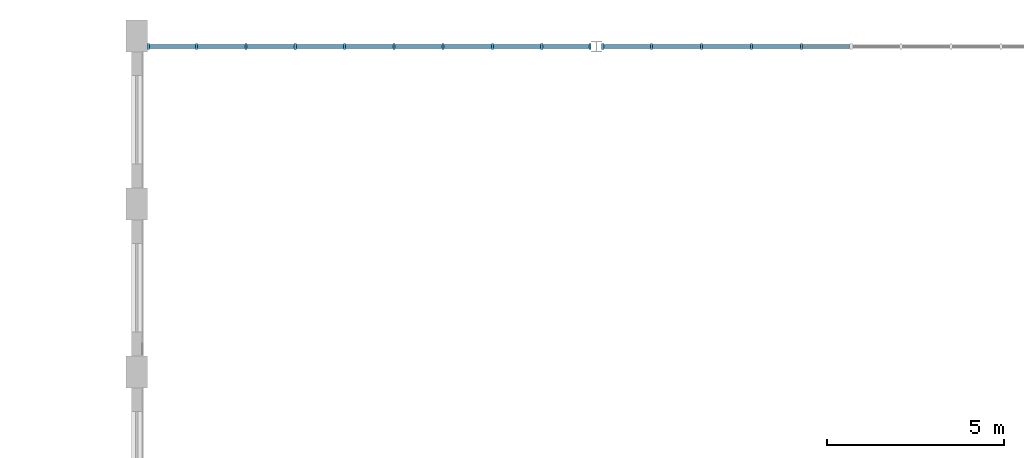
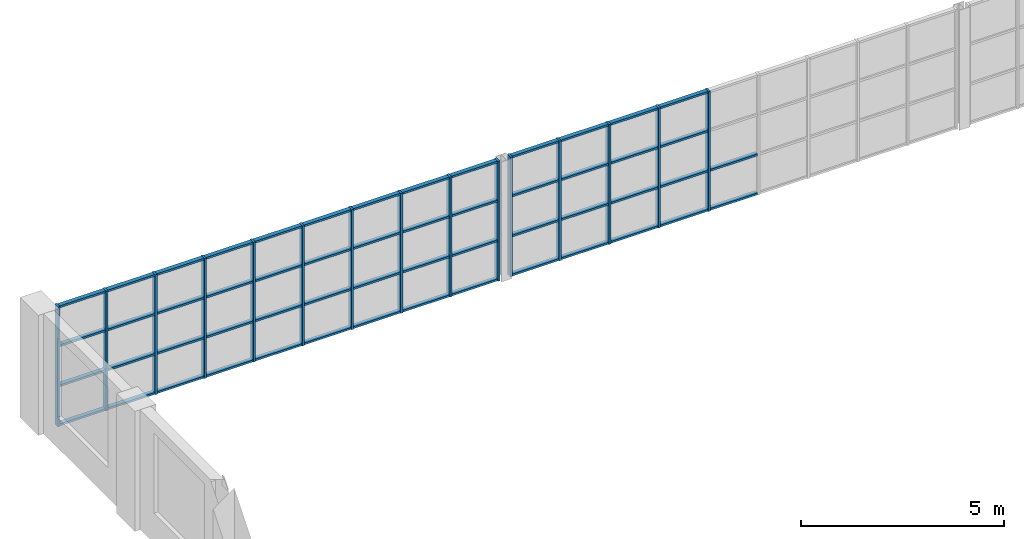
# One storey, part 9 of 70: 69 members, 2 elements without a shape of their own.
"""IFC4 building model written with IfcOpenShell, lengths in metres."""

from ifc_helpers import new_model, si_unit, direction, frame, origin, origin_2d, place, context, subcontext, project, spatial, rectangle, extrude, material, material_profile, profile_set, type_object, element, aggregate, save


model = new_model("IFC4")

# Units and contexts
model_context = context("Model", 3, precision=1e-05, world=origin(), true_north=direction((0.0, 1.0)))
body_context = subcontext(model_context, "Body", "Model", "MODEL_VIEW")
ifc_project = project(units=[si_unit("LENGTHUNIT", "METRE"), si_unit("AREAUNIT", "SQUARE_METRE"), si_unit("VOLUMEUNIT", "CUBIC_METRE"), si_unit("PLANEANGLEUNIT", "RADIAN"), si_unit("MASSUNIT", "GRAM", prefix="KILO")], contexts=[model_context])

# Site, building, storey
site_placement = place(None, origin())
site = spatial("IfcSite", under=ifc_project, at=site_placement, CompositionType="ELEMENT")
building_placement = place(site_placement, origin())
building = spatial("IfcBuilding", under=site, at=building_placement, Name="Elbe Cascade School", CompositionType="ELEMENT")
storey_placement = place(building_placement, frame((0.0, 0.0, 8.10009765625)))
storey = spatial("IfcBuildingStorey", under=building, at=storey_placement, Name="L02", CompositionType="ELEMENT", Elevation=8.10009765625)

# Curtain wall, members
ifc_material_1 = material(Name="Glass - double glazed low-E", Category="glass")
curtain_wall_type = type_object("IfcCurtainWallType", Name="Hall gable curtain wall", PredefinedType="NOTDEFINED", material=ifc_material_1)
curtain_wall_1_placement = place(storey_placement, origin())
curtain_wall_1 = element("IfcCurtainWall", 1, at=curtain_wall_1_placement, inside=storey, type_object=curtain_wall_type, Name="Gable curtain wall N1", PredefinedType="NOTDEFINED")
ifc_material_2 = material(Name="Aluminium - bronze anodised", Category="aluminium")
ifc_material_profile_1 = material_profile(ifc_material_2, rectangle(XDim=0.159912109375, YDim=0.06005859375, at=origin_2d()), Name="Alu 60x160")
ifc_profile_set_1 = profile_set([ifc_material_profile_1], Name="Aluminium - bronze anodised")
member_type_1 = type_object("IfcMemberType", Name="Hall gable mullion 60x160", PredefinedType="MULLION", material=ifc_profile_set_1)
member_1_placement = place(storey_placement, frame((8.330078125, 69.199951171875, 0.0), z_axis=(0.0, 0.0, 1.0), x_axis=(0.0, 1.0, 0.0)))
member_1 = element("IfcMember", 2, at=member_1_placement, type_object=member_type_1, Name="CW6 mullion 1", PredefinedType="MULLION", context=body_context, shape_type="SweptSolid", body=[
    extrude(rectangle(XDim=0.159912109375, YDim=0.06005859375, at=origin_2d()), origin(), (0.0, 0.0, 1.0), 3.599853515625),
])
member_2_placement = place(storey_placement, frame((9.6943359375, 69.199951171875, 0.0), z_axis=(0.0, 0.0, 1.0), x_axis=(0.0, 1.0, 0.0)))
member_2 = element("IfcMember", 3, at=member_2_placement, type_object=member_type_1, Name="CW6 mullion 2", PredefinedType="MULLION", context=body_context, shape_type="SweptSolid", body=[
    extrude(rectangle(XDim=0.159912109375, YDim=0.06005859375, at=origin_2d()), origin(), (0.0, 0.0, 1.0), 3.599853515625),
])
member_3_placement = place(storey_placement, frame((11.0888671875, 69.199951171875, 0.0), z_axis=(0.0, 0.0, 1.0), x_axis=(0.0, 1.0, 0.0)))
member_3 = element("IfcMember", 4, at=member_3_placement, type_object=member_type_1, Name="CW6 mullion 3", PredefinedType="MULLION", context=body_context, shape_type="SweptSolid", body=[
    extrude(rectangle(XDim=0.159912109375, YDim=0.06005859375, at=origin_2d()), origin(), (0.0, 0.0, 1.0), 3.599853515625),
])
member_4_placement = place(storey_placement, frame((12.4833984375, 69.199951171875, 0.0), z_axis=(0.0, 0.0, 1.0), x_axis=(0.0, 1.0, 0.0)))
member_4 = element("IfcMember", 5, at=member_4_placement, type_object=member_type_1, Name="CW6 mullion 4", PredefinedType="MULLION", context=body_context, shape_type="SweptSolid", body=[
    extrude(rectangle(XDim=0.159912109375, YDim=0.06005859375, at=origin_2d()), origin(), (0.0, 0.0, 1.0), 3.599853515625),
])
member_5_placement = place(storey_placement, frame((13.877685546875, 69.199951171875, 0.0), z_axis=(0.0, 0.0, 1.0), x_axis=(0.0, 1.0, 0.0)))
member_5 = element("IfcMember", 6, at=member_5_placement, type_object=member_type_1, Name="CW6 mullion 5", PredefinedType="MULLION", context=body_context, shape_type="SweptSolid", body=[
    extrude(rectangle(XDim=0.159912109375, YDim=0.06005859375, at=origin_2d()), origin(), (0.0, 0.0, 1.0), 3.599853515625),
])
member_6_placement = place(storey_placement, frame((15.272216796875, 69.199951171875, 0.0), z_axis=(0.0, 0.0, 1.0), x_axis=(0.0, 1.0, 0.0)))
member_6 = element("IfcMember", 7, at=member_6_placement, type_object=member_type_1, Name="CW6 mullion 6", PredefinedType="MULLION", context=body_context, shape_type="SweptSolid", body=[
    extrude(rectangle(XDim=0.159912109375, YDim=0.06005859375, at=origin_2d()), origin(), (0.0, 0.0, 1.0), 3.599853515625),
])
member_7_placement = place(storey_placement, frame((16.666748046875, 69.199951171875, 0.0), z_axis=(0.0, 0.0, 1.0), x_axis=(0.0, 1.0, 0.0)))
member_7 = element("IfcMember", 8, at=member_7_placement, type_object=member_type_1, Name="CW6 mullion 7", PredefinedType="MULLION", context=body_context, shape_type="SweptSolid", body=[
    extrude(rectangle(XDim=0.159912109375, YDim=0.06005859375, at=origin_2d()), origin(), (0.0, 0.0, 1.0), 3.599853515625),
])
member_8_placement = place(storey_placement, frame((18.06103515625, 69.199951171875, 0.0), z_axis=(0.0, 0.0, 1.0), x_axis=(0.0, 1.0, 0.0)))
member_8 = element("IfcMember", 9, at=member_8_placement, type_object=member_type_1, Name="CW6 mullion 8", PredefinedType="MULLION", context=body_context, shape_type="SweptSolid", body=[
    extrude(rectangle(XDim=0.159912109375, YDim=0.06005859375, at=origin_2d()), origin(), (0.0, 0.0, 1.0), 3.599853515625),
])
member_9_placement = place(storey_placement, frame((19.45556640625, 69.199951171875, 0.0), z_axis=(0.0, 0.0, 1.0), x_axis=(0.0, 1.0, 0.0)))
member_9 = element("IfcMember", 10, at=member_9_placement, type_object=member_type_1, Name="CW6 mullion 9", PredefinedType="MULLION", context=body_context, shape_type="SweptSolid", body=[
    extrude(rectangle(XDim=0.159912109375, YDim=0.06005859375, at=origin_2d()), origin(), (0.0, 0.0, 1.0), 3.599853515625),
])
member_10_placement = place(storey_placement, frame((20.820068359375, 69.199951171875, 0.0), z_axis=(0.0, 0.0, 1.0), x_axis=(0.0, 1.0, 0.0)))
member_10 = element("IfcMember", 11, at=member_10_placement, type_object=member_type_1, Name="CW6 mullion 10", PredefinedType="MULLION", context=body_context, shape_type="SweptSolid", body=[
    extrude(rectangle(XDim=0.159912109375, YDim=0.06005859375, at=origin_2d()), origin(), (0.0, 0.0, 1.0), 3.599853515625),
])

curtain_wall_2_placement = place(storey_placement, origin())
curtain_wall_2 = element("IfcCurtainWall", 12, at=curtain_wall_2_placement, inside=storey, type_object=curtain_wall_type, Name="Gable curtain wall N2", PredefinedType="NOTDEFINED")
member_11_placement = place(storey_placement, frame((21.179931640625, 69.199951171875, 0.0), z_axis=(0.0, 0.0, 1.0), x_axis=(0.0, 1.0, 0.0)))
member_11 = element("IfcMember", 13, at=member_11_placement, type_object=member_type_1, Name="CW6 mullion 1", PredefinedType="MULLION", context=body_context, shape_type="SweptSolid", body=[
    extrude(rectangle(XDim=0.159912109375, YDim=0.06005859375, at=origin_2d()), origin(), (0.0, 0.0, 1.0), 3.599853515625),
])
member_12_placement = place(storey_placement, frame((22.56103515625, 69.199951171875, 0.0), z_axis=(0.0, 0.0, 1.0), x_axis=(0.0, 1.0, 0.0)))
member_12 = element("IfcMember", 14, at=member_12_placement, type_object=member_type_1, Name="CW6 mullion 2", PredefinedType="MULLION", context=body_context, shape_type="SweptSolid", body=[
    extrude(rectangle(XDim=0.159912109375, YDim=0.06005859375, at=origin_2d()), origin(), (0.0, 0.0, 1.0), 3.599853515625),
])
member_13_placement = place(storey_placement, frame((23.97216796875, 69.199951171875, 0.0), z_axis=(0.0, 0.0, 1.0), x_axis=(0.0, 1.0, 0.0)))
member_13 = element("IfcMember", 15, at=member_13_placement, type_object=member_type_1, Name="CW6 mullion 3", PredefinedType="MULLION", context=body_context, shape_type="SweptSolid", body=[
    extrude(rectangle(XDim=0.159912109375, YDim=0.06005859375, at=origin_2d()), origin(), (0.0, 0.0, 1.0), 3.599853515625),
])
member_14_placement = place(storey_placement, frame((25.38330078125, 69.199951171875, 0.0), z_axis=(0.0, 0.0, 1.0), x_axis=(0.0, 1.0, 0.0)))
member_14 = element("IfcMember", 16, at=member_14_placement, type_object=member_type_1, Name="CW6 mullion 4", PredefinedType="MULLION", context=body_context, shape_type="SweptSolid", body=[
    extrude(rectangle(XDim=0.159912109375, YDim=0.06005859375, at=origin_2d()), origin(), (0.0, 0.0, 1.0), 3.599853515625),
])
member_15_placement = place(storey_placement, frame((26.79443359375, 69.199951171875, 0.0), z_axis=(0.0, 0.0, 1.0), x_axis=(0.0, 1.0, 0.0)))
member_15 = element("IfcMember", 17, at=member_15_placement, type_object=member_type_1, Name="CW6 mullion 5", PredefinedType="MULLION", context=body_context, shape_type="SweptSolid", body=[
    extrude(rectangle(XDim=0.159912109375, YDim=0.06005859375, at=origin_2d()), origin(), (0.0, 0.0, 1.0), 3.599853515625),
])

# Member
ifc_material_3 = material(Name="Aluminium - bronze anodised", Category="aluminium")
ifc_material_profile_2 = material_profile(ifc_material_3, rectangle(XDim=0.1201171875, YDim=0.06005859375, at=origin_2d()), Name="Alu 60x120")
ifc_profile_set_2 = profile_set([ifc_material_profile_2], Name="Aluminium - bronze anodised")
member_type_2 = type_object("IfcMemberType", Name="Hall gable transom 60x120", PredefinedType="USERDEFINED", material=ifc_profile_set_2)
member_16_placement = place(storey_placement, frame((8.360107421875, 69.199951171875, 0.02978515625), z_axis=(1.0, 0.0, 0.0), x_axis=(0.0, 1.0, 0.0)))
member_16 = element("IfcMember", 18, at=member_16_placement, type_object=member_type_2, Name="CW6 transom 1.1", ObjectType="TRANSOM", PredefinedType="USERDEFINED", context=body_context, shape_type="SweptSolid", body=[
    extrude(rectangle(XDim=0.1201171875, YDim=0.06005859375, at=origin_2d()), origin(), (0.0, 0.0, 1.0), 1.304443359375),
])

member_17_placement = place(storey_placement, frame((8.360107421875, 69.199951171875, 1.199951171875), z_axis=(1.0, 0.0, 0.0), x_axis=(0.0, 1.0, 0.0)))
member_17 = element("IfcMember", 19, at=member_17_placement, type_object=member_type_2, Name="CW6 transom 1.2", ObjectType="TRANSOM", PredefinedType="USERDEFINED", context=body_context, shape_type="SweptSolid", body=[
    extrude(rectangle(XDim=0.1201171875, YDim=0.06005859375, at=origin_2d()), origin(), (0.0, 0.0, 1.0), 1.304443359375),
])

member_18_placement = place(storey_placement, frame((8.360107421875, 69.199951171875, 2.39990234375), z_axis=(1.0, 0.0, 0.0), x_axis=(0.0, 1.0, 0.0)))
member_18 = element("IfcMember", 20, at=member_18_placement, type_object=member_type_2, Name="CW6 transom 1.3", ObjectType="TRANSOM", PredefinedType="USERDEFINED", context=body_context, shape_type="SweptSolid", body=[
    extrude(rectangle(XDim=0.1201171875, YDim=0.06005859375, at=origin_2d()), origin(), (0.0, 0.0, 1.0), 1.304443359375),
])

member_19_placement = place(storey_placement, frame((8.360107421875, 69.199951171875, 3.56982421875), z_axis=(1.0, 0.0, 0.0), x_axis=(0.0, 1.0, 0.0)))
member_19 = element("IfcMember", 21, at=member_19_placement, type_object=member_type_2, Name="CW6 transom 1.4", ObjectType="TRANSOM", PredefinedType="USERDEFINED", context=body_context, shape_type="SweptSolid", body=[
    extrude(rectangle(XDim=0.1201171875, YDim=0.06005859375, at=origin_2d()), origin(), (0.0, 0.0, 1.0), 1.304443359375),
])

member_20_placement = place(storey_placement, frame((9.724365234375, 69.199951171875, 0.02978515625), z_axis=(1.0, 0.0, 0.0), x_axis=(0.0, 1.0, 0.0)))
member_20 = element("IfcMember", 22, at=member_20_placement, type_object=member_type_2, Name="CW6 transom 2.1", ObjectType="TRANSOM", PredefinedType="USERDEFINED", context=body_context, shape_type="SweptSolid", body=[
    extrude(rectangle(XDim=0.1201171875, YDim=0.06005859375, at=origin_2d()), origin(), (0.0, 0.0, 1.0), 1.33447265625),
])

member_21_placement = place(storey_placement, frame((9.724365234375, 69.199951171875, 1.199951171875), z_axis=(1.0, 0.0, 0.0), x_axis=(0.0, 1.0, 0.0)))
member_21 = element("IfcMember", 23, at=member_21_placement, type_object=member_type_2, Name="CW6 transom 2.2", ObjectType="TRANSOM", PredefinedType="USERDEFINED", context=body_context, shape_type="SweptSolid", body=[
    extrude(rectangle(XDim=0.1201171875, YDim=0.06005859375, at=origin_2d()), origin(), (0.0, 0.0, 1.0), 1.33447265625),
])

member_22_placement = place(storey_placement, frame((9.724365234375, 69.199951171875, 2.39990234375), z_axis=(1.0, 0.0, 0.0), x_axis=(0.0, 1.0, 0.0)))
member_22 = element("IfcMember", 24, at=member_22_placement, type_object=member_type_2, Name="CW6 transom 2.3", ObjectType="TRANSOM", PredefinedType="USERDEFINED", context=body_context, shape_type="SweptSolid", body=[
    extrude(rectangle(XDim=0.1201171875, YDim=0.06005859375, at=origin_2d()), origin(), (0.0, 0.0, 1.0), 1.33447265625),
])

member_23_placement = place(storey_placement, frame((9.724365234375, 69.199951171875, 3.56982421875), z_axis=(1.0, 0.0, 0.0), x_axis=(0.0, 1.0, 0.0)))
member_23 = element("IfcMember", 25, at=member_23_placement, type_object=member_type_2, Name="CW6 transom 2.4", ObjectType="TRANSOM", PredefinedType="USERDEFINED", context=body_context, shape_type="SweptSolid", body=[
    extrude(rectangle(XDim=0.1201171875, YDim=0.06005859375, at=origin_2d()), origin(), (0.0, 0.0, 1.0), 1.33447265625),
])

member_24_placement = place(storey_placement, frame((11.118896484375, 69.199951171875, 0.02978515625), z_axis=(1.0, 0.0, 0.0), x_axis=(0.0, 1.0, 0.0)))
member_24 = element("IfcMember", 26, at=member_24_placement, type_object=member_type_2, Name="CW6 transom 3.1", ObjectType="TRANSOM", PredefinedType="USERDEFINED", context=body_context, shape_type="SweptSolid", body=[
    extrude(rectangle(XDim=0.1201171875, YDim=0.06005859375, at=origin_2d()), origin(), (0.0, 0.0, 1.0), 1.33447265625),
])

member_25_placement = place(storey_placement, frame((11.118896484375, 69.199951171875, 1.199951171875), z_axis=(1.0, 0.0, 0.0), x_axis=(0.0, 1.0, 0.0)))
member_25 = element("IfcMember", 27, at=member_25_placement, type_object=member_type_2, Name="CW6 transom 3.2", ObjectType="TRANSOM", PredefinedType="USERDEFINED", context=body_context, shape_type="SweptSolid", body=[
    extrude(rectangle(XDim=0.1201171875, YDim=0.06005859375, at=origin_2d()), origin(), (0.0, 0.0, 1.0), 1.33447265625),
])

member_26_placement = place(storey_placement, frame((11.118896484375, 69.199951171875, 2.39990234375), z_axis=(1.0, 0.0, 0.0), x_axis=(0.0, 1.0, 0.0)))
member_26 = element("IfcMember", 28, at=member_26_placement, type_object=member_type_2, Name="CW6 transom 3.3", ObjectType="TRANSOM", PredefinedType="USERDEFINED", context=body_context, shape_type="SweptSolid", body=[
    extrude(rectangle(XDim=0.1201171875, YDim=0.06005859375, at=origin_2d()), origin(), (0.0, 0.0, 1.0), 1.33447265625),
])

member_27_placement = place(storey_placement, frame((11.118896484375, 69.199951171875, 3.56982421875), z_axis=(1.0, 0.0, 0.0), x_axis=(0.0, 1.0, 0.0)))
member_27 = element("IfcMember", 29, at=member_27_placement, type_object=member_type_2, Name="CW6 transom 3.4", ObjectType="TRANSOM", PredefinedType="USERDEFINED", context=body_context, shape_type="SweptSolid", body=[
    extrude(rectangle(XDim=0.1201171875, YDim=0.06005859375, at=origin_2d()), origin(), (0.0, 0.0, 1.0), 1.33447265625),
])

member_28_placement = place(storey_placement, frame((12.513427734375, 69.199951171875, 0.02978515625), z_axis=(1.0, 0.0, 0.0), x_axis=(0.0, 1.0, 0.0)))
member_28 = element("IfcMember", 30, at=member_28_placement, type_object=member_type_2, Name="CW6 transom 4.1", ObjectType="TRANSOM", PredefinedType="USERDEFINED", context=body_context, shape_type="SweptSolid", body=[
    extrude(rectangle(XDim=0.1201171875, YDim=0.06005859375, at=origin_2d()), origin(), (0.0, 0.0, 1.0), 1.334228515625),
])

member_29_placement = place(storey_placement, frame((12.513427734375, 69.199951171875, 1.199951171875), z_axis=(1.0, 0.0, 0.0), x_axis=(0.0, 1.0, 0.0)))
member_29 = element("IfcMember", 31, at=member_29_placement, type_object=member_type_2, Name="CW6 transom 4.2", ObjectType="TRANSOM", PredefinedType="USERDEFINED", context=body_context, shape_type="SweptSolid", body=[
    extrude(rectangle(XDim=0.1201171875, YDim=0.06005859375, at=origin_2d()), origin(), (0.0, 0.0, 1.0), 1.334228515625),
])

member_30_placement = place(storey_placement, frame((12.513427734375, 69.199951171875, 2.39990234375), z_axis=(1.0, 0.0, 0.0), x_axis=(0.0, 1.0, 0.0)))
member_30 = element("IfcMember", 32, at=member_30_placement, type_object=member_type_2, Name="CW6 transom 4.3", ObjectType="TRANSOM", PredefinedType="USERDEFINED", context=body_context, shape_type="SweptSolid", body=[
    extrude(rectangle(XDim=0.1201171875, YDim=0.06005859375, at=origin_2d()), origin(), (0.0, 0.0, 1.0), 1.334228515625),
])

member_31_placement = place(storey_placement, frame((12.513427734375, 69.199951171875, 3.56982421875), z_axis=(1.0, 0.0, 0.0), x_axis=(0.0, 1.0, 0.0)))
member_31 = element("IfcMember", 33, at=member_31_placement, type_object=member_type_2, Name="CW6 transom 4.4", ObjectType="TRANSOM", PredefinedType="USERDEFINED", context=body_context, shape_type="SweptSolid", body=[
    extrude(rectangle(XDim=0.1201171875, YDim=0.06005859375, at=origin_2d()), origin(), (0.0, 0.0, 1.0), 1.334228515625),
])

member_32_placement = place(storey_placement, frame((13.90771484375, 69.199951171875, 0.02978515625), z_axis=(1.0, 0.0, 0.0), x_axis=(0.0, 1.0, 0.0)))
member_32 = element("IfcMember", 34, at=member_32_placement, type_object=member_type_2, Name="CW6 transom 5.1", ObjectType="TRANSOM", PredefinedType="USERDEFINED", context=body_context, shape_type="SweptSolid", body=[
    extrude(rectangle(XDim=0.1201171875, YDim=0.06005859375, at=origin_2d()), origin(), (0.0, 0.0, 1.0), 1.33447265625),
])

member_33_placement = place(storey_placement, frame((13.90771484375, 69.199951171875, 1.199951171875), z_axis=(1.0, 0.0, 0.0), x_axis=(0.0, 1.0, 0.0)))
member_33 = element("IfcMember", 35, at=member_33_placement, type_object=member_type_2, Name="CW6 transom 5.2", ObjectType="TRANSOM", PredefinedType="USERDEFINED", context=body_context, shape_type="SweptSolid", body=[
    extrude(rectangle(XDim=0.1201171875, YDim=0.06005859375, at=origin_2d()), origin(), (0.0, 0.0, 1.0), 1.33447265625),
])

member_34_placement = place(storey_placement, frame((13.90771484375, 69.199951171875, 2.39990234375), z_axis=(1.0, 0.0, 0.0), x_axis=(0.0, 1.0, 0.0)))
member_34 = element("IfcMember", 36, at=member_34_placement, type_object=member_type_2, Name="CW6 transom 5.3", ObjectType="TRANSOM", PredefinedType="USERDEFINED", context=body_context, shape_type="SweptSolid", body=[
    extrude(rectangle(XDim=0.1201171875, YDim=0.06005859375, at=origin_2d()), origin(), (0.0, 0.0, 1.0), 1.33447265625),
])

member_35_placement = place(storey_placement, frame((13.90771484375, 69.199951171875, 3.56982421875), z_axis=(1.0, 0.0, 0.0), x_axis=(0.0, 1.0, 0.0)))
member_35 = element("IfcMember", 37, at=member_35_placement, type_object=member_type_2, Name="CW6 transom 5.4", ObjectType="TRANSOM", PredefinedType="USERDEFINED", context=body_context, shape_type="SweptSolid", body=[
    extrude(rectangle(XDim=0.1201171875, YDim=0.06005859375, at=origin_2d()), origin(), (0.0, 0.0, 1.0), 1.33447265625),
])

member_36_placement = place(storey_placement, frame((15.30224609375, 69.199951171875, 0.02978515625), z_axis=(1.0, 0.0, 0.0), x_axis=(0.0, 1.0, 0.0)))
member_36 = element("IfcMember", 38, at=member_36_placement, type_object=member_type_2, Name="CW6 transom 6.1", ObjectType="TRANSOM", PredefinedType="USERDEFINED", context=body_context, shape_type="SweptSolid", body=[
    extrude(rectangle(XDim=0.1201171875, YDim=0.06005859375, at=origin_2d()), origin(), (0.0, 0.0, 1.0), 1.33447265625),
])

member_37_placement = place(storey_placement, frame((15.30224609375, 69.199951171875, 1.199951171875), z_axis=(1.0, 0.0, 0.0), x_axis=(0.0, 1.0, 0.0)))
member_37 = element("IfcMember", 39, at=member_37_placement, type_object=member_type_2, Name="CW6 transom 6.2", ObjectType="TRANSOM", PredefinedType="USERDEFINED", context=body_context, shape_type="SweptSolid", body=[
    extrude(rectangle(XDim=0.1201171875, YDim=0.06005859375, at=origin_2d()), origin(), (0.0, 0.0, 1.0), 1.33447265625),
])

member_38_placement = place(storey_placement, frame((15.30224609375, 69.199951171875, 2.39990234375), z_axis=(1.0, 0.0, 0.0), x_axis=(0.0, 1.0, 0.0)))
member_38 = element("IfcMember", 40, at=member_38_placement, type_object=member_type_2, Name="CW6 transom 6.3", ObjectType="TRANSOM", PredefinedType="USERDEFINED", context=body_context, shape_type="SweptSolid", body=[
    extrude(rectangle(XDim=0.1201171875, YDim=0.06005859375, at=origin_2d()), origin(), (0.0, 0.0, 1.0), 1.33447265625),
])

member_39_placement = place(storey_placement, frame((15.30224609375, 69.199951171875, 3.56982421875), z_axis=(1.0, 0.0, 0.0), x_axis=(0.0, 1.0, 0.0)))
member_39 = element("IfcMember", 41, at=member_39_placement, type_object=member_type_2, Name="CW6 transom 6.4", ObjectType="TRANSOM", PredefinedType="USERDEFINED", context=body_context, shape_type="SweptSolid", body=[
    extrude(rectangle(XDim=0.1201171875, YDim=0.06005859375, at=origin_2d()), origin(), (0.0, 0.0, 1.0), 1.33447265625),
])

member_40_placement = place(storey_placement, frame((16.69677734375, 69.199951171875, 0.02978515625), z_axis=(1.0, 0.0, 0.0), x_axis=(0.0, 1.0, 0.0)))
member_40 = element("IfcMember", 42, at=member_40_placement, type_object=member_type_2, Name="CW6 transom 7.1", ObjectType="TRANSOM", PredefinedType="USERDEFINED", context=body_context, shape_type="SweptSolid", body=[
    extrude(rectangle(XDim=0.1201171875, YDim=0.06005859375, at=origin_2d()), origin(), (0.0, 0.0, 1.0), 1.334228515625),
])

member_41_placement = place(storey_placement, frame((16.69677734375, 69.199951171875, 1.199951171875), z_axis=(1.0, 0.0, 0.0), x_axis=(0.0, 1.0, 0.0)))
member_41 = element("IfcMember", 43, at=member_41_placement, type_object=member_type_2, Name="CW6 transom 7.2", ObjectType="TRANSOM", PredefinedType="USERDEFINED", context=body_context, shape_type="SweptSolid", body=[
    extrude(rectangle(XDim=0.1201171875, YDim=0.06005859375, at=origin_2d()), origin(), (0.0, 0.0, 1.0), 1.334228515625),
])

member_42_placement = place(storey_placement, frame((16.69677734375, 69.199951171875, 2.39990234375), z_axis=(1.0, 0.0, 0.0), x_axis=(0.0, 1.0, 0.0)))
member_42 = element("IfcMember", 44, at=member_42_placement, type_object=member_type_2, Name="CW6 transom 7.3", ObjectType="TRANSOM", PredefinedType="USERDEFINED", context=body_context, shape_type="SweptSolid", body=[
    extrude(rectangle(XDim=0.1201171875, YDim=0.06005859375, at=origin_2d()), origin(), (0.0, 0.0, 1.0), 1.334228515625),
])

member_43_placement = place(storey_placement, frame((16.69677734375, 69.199951171875, 3.56982421875), z_axis=(1.0, 0.0, 0.0), x_axis=(0.0, 1.0, 0.0)))
member_43 = element("IfcMember", 45, at=member_43_placement, type_object=member_type_2, Name="CW6 transom 7.4", ObjectType="TRANSOM", PredefinedType="USERDEFINED", context=body_context, shape_type="SweptSolid", body=[
    extrude(rectangle(XDim=0.1201171875, YDim=0.06005859375, at=origin_2d()), origin(), (0.0, 0.0, 1.0), 1.334228515625),
])

member_44_placement = place(storey_placement, frame((18.091064453125, 69.199951171875, 0.02978515625), z_axis=(1.0, 0.0, 0.0), x_axis=(0.0, 1.0, 0.0)))
member_44 = element("IfcMember", 46, at=member_44_placement, type_object=member_type_2, Name="CW6 transom 8.1", ObjectType="TRANSOM", PredefinedType="USERDEFINED", context=body_context, shape_type="SweptSolid", body=[
    extrude(rectangle(XDim=0.1201171875, YDim=0.06005859375, at=origin_2d()), origin(), (0.0, 0.0, 1.0), 1.33447265625),
])

member_45_placement = place(storey_placement, frame((18.091064453125, 69.199951171875, 1.199951171875), z_axis=(1.0, 0.0, 0.0), x_axis=(0.0, 1.0, 0.0)))
member_45 = element("IfcMember", 47, at=member_45_placement, type_object=member_type_2, Name="CW6 transom 8.2", ObjectType="TRANSOM", PredefinedType="USERDEFINED", context=body_context, shape_type="SweptSolid", body=[
    extrude(rectangle(XDim=0.1201171875, YDim=0.06005859375, at=origin_2d()), origin(), (0.0, 0.0, 1.0), 1.33447265625),
])

member_46_placement = place(storey_placement, frame((18.091064453125, 69.199951171875, 2.39990234375), z_axis=(1.0, 0.0, 0.0), x_axis=(0.0, 1.0, 0.0)))
member_46 = element("IfcMember", 48, at=member_46_placement, type_object=member_type_2, Name="CW6 transom 8.3", ObjectType="TRANSOM", PredefinedType="USERDEFINED", context=body_context, shape_type="SweptSolid", body=[
    extrude(rectangle(XDim=0.1201171875, YDim=0.06005859375, at=origin_2d()), origin(), (0.0, 0.0, 1.0), 1.33447265625),
])

member_47_placement = place(storey_placement, frame((18.091064453125, 69.199951171875, 3.56982421875), z_axis=(1.0, 0.0, 0.0), x_axis=(0.0, 1.0, 0.0)))
member_47 = element("IfcMember", 49, at=member_47_placement, type_object=member_type_2, Name="CW6 transom 8.4", ObjectType="TRANSOM", PredefinedType="USERDEFINED", context=body_context, shape_type="SweptSolid", body=[
    extrude(rectangle(XDim=0.1201171875, YDim=0.06005859375, at=origin_2d()), origin(), (0.0, 0.0, 1.0), 1.33447265625),
])

member_48_placement = place(storey_placement, frame((19.485595703125, 69.199951171875, 0.02978515625), z_axis=(1.0, 0.0, 0.0), x_axis=(0.0, 1.0, 0.0)))
member_48 = element("IfcMember", 50, at=member_48_placement, type_object=member_type_2, Name="CW6 transom 9.1", ObjectType="TRANSOM", PredefinedType="USERDEFINED", context=body_context, shape_type="SweptSolid", body=[
    extrude(rectangle(XDim=0.1201171875, YDim=0.06005859375, at=origin_2d()), origin(), (0.0, 0.0, 1.0), 1.304443359375),
])

member_49_placement = place(storey_placement, frame((19.485595703125, 69.199951171875, 1.199951171875), z_axis=(1.0, 0.0, 0.0), x_axis=(0.0, 1.0, 0.0)))
member_49 = element("IfcMember", 51, at=member_49_placement, type_object=member_type_2, Name="CW6 transom 9.2", ObjectType="TRANSOM", PredefinedType="USERDEFINED", context=body_context, shape_type="SweptSolid", body=[
    extrude(rectangle(XDim=0.1201171875, YDim=0.06005859375, at=origin_2d()), origin(), (0.0, 0.0, 1.0), 1.304443359375),
])

member_50_placement = place(storey_placement, frame((19.485595703125, 69.199951171875, 2.39990234375), z_axis=(1.0, 0.0, 0.0), x_axis=(0.0, 1.0, 0.0)))
member_50 = element("IfcMember", 52, at=member_50_placement, type_object=member_type_2, Name="CW6 transom 9.3", ObjectType="TRANSOM", PredefinedType="USERDEFINED", context=body_context, shape_type="SweptSolid", body=[
    extrude(rectangle(XDim=0.1201171875, YDim=0.06005859375, at=origin_2d()), origin(), (0.0, 0.0, 1.0), 1.304443359375),
])

member_51_placement = place(storey_placement, frame((19.485595703125, 69.199951171875, 3.56982421875), z_axis=(1.0, 0.0, 0.0), x_axis=(0.0, 1.0, 0.0)))
member_51 = element("IfcMember", 53, at=member_51_placement, type_object=member_type_2, Name="CW6 transom 9.4", ObjectType="TRANSOM", PredefinedType="USERDEFINED", context=body_context, shape_type="SweptSolid", body=[
    extrude(rectangle(XDim=0.1201171875, YDim=0.06005859375, at=origin_2d()), origin(), (0.0, 0.0, 1.0), 1.304443359375),
])

aggregate(curtain_wall_1, [member_1, member_2, member_3, member_4, member_5, member_6, member_7, member_8, member_9, member_10, member_16, member_17, member_18, member_19, member_20, member_21, member_22, member_23, member_24, member_25, member_26, member_27, member_28, member_29, member_30, member_31, member_32, member_33, member_34, member_35, member_36, member_37, member_38, member_39, member_40, member_41, member_42, member_43, member_44, member_45, member_46, member_47, member_48, member_49, member_50, member_51])

member_52_placement = place(storey_placement, frame((21.2099609375, 69.199951171875, 0.02978515625), z_axis=(1.0, 0.0, 0.0), x_axis=(0.0, 1.0, 0.0)))
member_52 = element("IfcMember", 54, at=member_52_placement, type_object=member_type_2, Name="CW6 transom 1.1", ObjectType="TRANSOM", PredefinedType="USERDEFINED", context=body_context, shape_type="SweptSolid", body=[
    extrude(rectangle(XDim=0.1201171875, YDim=0.06005859375, at=origin_2d()), origin(), (0.0, 0.0, 1.0), 1.321044921875),
])

member_53_placement = place(storey_placement, frame((21.2099609375, 69.199951171875, 1.199951171875), z_axis=(1.0, 0.0, 0.0), x_axis=(0.0, 1.0, 0.0)))
member_53 = element("IfcMember", 55, at=member_53_placement, type_object=member_type_2, Name="CW6 transom 1.2", ObjectType="TRANSOM", PredefinedType="USERDEFINED", context=body_context, shape_type="SweptSolid", body=[
    extrude(rectangle(XDim=0.1201171875, YDim=0.06005859375, at=origin_2d()), origin(), (0.0, 0.0, 1.0), 1.321044921875),
])

member_54_placement = place(storey_placement, frame((21.2099609375, 69.199951171875, 2.39990234375), z_axis=(1.0, 0.0, 0.0), x_axis=(0.0, 1.0, 0.0)))
member_54 = element("IfcMember", 56, at=member_54_placement, type_object=member_type_2, Name="CW6 transom 1.3", ObjectType="TRANSOM", PredefinedType="USERDEFINED", context=body_context, shape_type="SweptSolid", body=[
    extrude(rectangle(XDim=0.1201171875, YDim=0.06005859375, at=origin_2d()), origin(), (0.0, 0.0, 1.0), 1.321044921875),
])

member_55_placement = place(storey_placement, frame((21.2099609375, 69.199951171875, 3.56982421875), z_axis=(1.0, 0.0, 0.0), x_axis=(0.0, 1.0, 0.0)))
member_55 = element("IfcMember", 57, at=member_55_placement, type_object=member_type_2, Name="CW6 transom 1.4", ObjectType="TRANSOM", PredefinedType="USERDEFINED", context=body_context, shape_type="SweptSolid", body=[
    extrude(rectangle(XDim=0.1201171875, YDim=0.06005859375, at=origin_2d()), origin(), (0.0, 0.0, 1.0), 1.321044921875),
])

member_56_placement = place(storey_placement, frame((22.591064453125, 69.199951171875, 0.02978515625), z_axis=(1.0, 0.0, 0.0), x_axis=(0.0, 1.0, 0.0)))
member_56 = element("IfcMember", 58, at=member_56_placement, type_object=member_type_2, Name="CW6 transom 2.1", ObjectType="TRANSOM", PredefinedType="USERDEFINED", context=body_context, shape_type="SweptSolid", body=[
    extrude(rectangle(XDim=0.1201171875, YDim=0.06005859375, at=origin_2d()), origin(), (0.0, 0.0, 1.0), 1.35107421875),
])

member_57_placement = place(storey_placement, frame((22.591064453125, 69.199951171875, 1.199951171875), z_axis=(1.0, 0.0, 0.0), x_axis=(0.0, 1.0, 0.0)))
member_57 = element("IfcMember", 59, at=member_57_placement, type_object=member_type_2, Name="CW6 transom 2.2", ObjectType="TRANSOM", PredefinedType="USERDEFINED", context=body_context, shape_type="SweptSolid", body=[
    extrude(rectangle(XDim=0.1201171875, YDim=0.06005859375, at=origin_2d()), origin(), (0.0, 0.0, 1.0), 1.35107421875),
])

member_58_placement = place(storey_placement, frame((22.591064453125, 69.199951171875, 2.39990234375), z_axis=(1.0, 0.0, 0.0), x_axis=(0.0, 1.0, 0.0)))
member_58 = element("IfcMember", 60, at=member_58_placement, type_object=member_type_2, Name="CW6 transom 2.3", ObjectType="TRANSOM", PredefinedType="USERDEFINED", context=body_context, shape_type="SweptSolid", body=[
    extrude(rectangle(XDim=0.1201171875, YDim=0.06005859375, at=origin_2d()), origin(), (0.0, 0.0, 1.0), 1.35107421875),
])

member_59_placement = place(storey_placement, frame((22.591064453125, 69.199951171875, 3.56982421875), z_axis=(1.0, 0.0, 0.0), x_axis=(0.0, 1.0, 0.0)))
member_59 = element("IfcMember", 61, at=member_59_placement, type_object=member_type_2, Name="CW6 transom 2.4", ObjectType="TRANSOM", PredefinedType="USERDEFINED", context=body_context, shape_type="SweptSolid", body=[
    extrude(rectangle(XDim=0.1201171875, YDim=0.06005859375, at=origin_2d()), origin(), (0.0, 0.0, 1.0), 1.35107421875),
])

member_60_placement = place(storey_placement, frame((24.002197265625, 69.199951171875, 0.02978515625), z_axis=(1.0, 0.0, 0.0), x_axis=(0.0, 1.0, 0.0)))
member_60 = element("IfcMember", 62, at=member_60_placement, type_object=member_type_2, Name="CW6 transom 3.1", ObjectType="TRANSOM", PredefinedType="USERDEFINED", context=body_context, shape_type="SweptSolid", body=[
    extrude(rectangle(XDim=0.1201171875, YDim=0.06005859375, at=origin_2d()), origin(), (0.0, 0.0, 1.0), 1.35107421875),
])

member_61_placement = place(storey_placement, frame((24.002197265625, 69.199951171875, 1.199951171875), z_axis=(1.0, 0.0, 0.0), x_axis=(0.0, 1.0, 0.0)))
member_61 = element("IfcMember", 63, at=member_61_placement, type_object=member_type_2, Name="CW6 transom 3.2", ObjectType="TRANSOM", PredefinedType="USERDEFINED", context=body_context, shape_type="SweptSolid", body=[
    extrude(rectangle(XDim=0.1201171875, YDim=0.06005859375, at=origin_2d()), origin(), (0.0, 0.0, 1.0), 1.35107421875),
])

member_62_placement = place(storey_placement, frame((24.002197265625, 69.199951171875, 2.39990234375), z_axis=(1.0, 0.0, 0.0), x_axis=(0.0, 1.0, 0.0)))
member_62 = element("IfcMember", 64, at=member_62_placement, type_object=member_type_2, Name="CW6 transom 3.3", ObjectType="TRANSOM", PredefinedType="USERDEFINED", context=body_context, shape_type="SweptSolid", body=[
    extrude(rectangle(XDim=0.1201171875, YDim=0.06005859375, at=origin_2d()), origin(), (0.0, 0.0, 1.0), 1.35107421875),
])

member_63_placement = place(storey_placement, frame((24.002197265625, 69.199951171875, 3.56982421875), z_axis=(1.0, 0.0, 0.0), x_axis=(0.0, 1.0, 0.0)))
member_63 = element("IfcMember", 65, at=member_63_placement, type_object=member_type_2, Name="CW6 transom 3.4", ObjectType="TRANSOM", PredefinedType="USERDEFINED", context=body_context, shape_type="SweptSolid", body=[
    extrude(rectangle(XDim=0.1201171875, YDim=0.06005859375, at=origin_2d()), origin(), (0.0, 0.0, 1.0), 1.35107421875),
])

member_64_placement = place(storey_placement, frame((25.413330078125, 69.199951171875, 0.02978515625), z_axis=(1.0, 0.0, 0.0), x_axis=(0.0, 1.0, 0.0)))
member_64 = element("IfcMember", 66, at=member_64_placement, type_object=member_type_2, Name="CW6 transom 4.1", ObjectType="TRANSOM", PredefinedType="USERDEFINED", context=body_context, shape_type="SweptSolid", body=[
    extrude(rectangle(XDim=0.1201171875, YDim=0.06005859375, at=origin_2d()), origin(), (0.0, 0.0, 1.0), 1.35107421875),
])

member_65_placement = place(storey_placement, frame((25.413330078125, 69.199951171875, 1.199951171875), z_axis=(1.0, 0.0, 0.0), x_axis=(0.0, 1.0, 0.0)))
member_65 = element("IfcMember", 67, at=member_65_placement, type_object=member_type_2, Name="CW6 transom 4.2", ObjectType="TRANSOM", PredefinedType="USERDEFINED", context=body_context, shape_type="SweptSolid", body=[
    extrude(rectangle(XDim=0.1201171875, YDim=0.06005859375, at=origin_2d()), origin(), (0.0, 0.0, 1.0), 1.35107421875),
])

member_66_placement = place(storey_placement, frame((25.413330078125, 69.199951171875, 2.39990234375), z_axis=(1.0, 0.0, 0.0), x_axis=(0.0, 1.0, 0.0)))
member_66 = element("IfcMember", 68, at=member_66_placement, type_object=member_type_2, Name="CW6 transom 4.3", ObjectType="TRANSOM", PredefinedType="USERDEFINED", context=body_context, shape_type="SweptSolid", body=[
    extrude(rectangle(XDim=0.1201171875, YDim=0.06005859375, at=origin_2d()), origin(), (0.0, 0.0, 1.0), 1.35107421875),
])

member_67_placement = place(storey_placement, frame((25.413330078125, 69.199951171875, 3.56982421875), z_axis=(1.0, 0.0, 0.0), x_axis=(0.0, 1.0, 0.0)))
member_67 = element("IfcMember", 69, at=member_67_placement, type_object=member_type_2, Name="CW6 transom 4.4", ObjectType="TRANSOM", PredefinedType="USERDEFINED", context=body_context, shape_type="SweptSolid", body=[
    extrude(rectangle(XDim=0.1201171875, YDim=0.06005859375, at=origin_2d()), origin(), (0.0, 0.0, 1.0), 1.35107421875),
])

member_68_placement = place(storey_placement, frame((26.824462890625, 69.199951171875, 0.02978515625), z_axis=(1.0, 0.0, 0.0), x_axis=(0.0, 1.0, 0.0)))
member_68 = element("IfcMember", 70, at=member_68_placement, type_object=member_type_2, Name="CW6 transom 5.1", ObjectType="TRANSOM", PredefinedType="USERDEFINED", context=body_context, shape_type="SweptSolid", body=[
    extrude(rectangle(XDim=0.1201171875, YDim=0.06005859375, at=origin_2d()), origin(), (0.0, 0.0, 1.0), 1.35107421875),
])

member_69_placement = place(storey_placement, frame((26.824462890625, 69.199951171875, 1.199951171875), z_axis=(1.0, 0.0, 0.0), x_axis=(0.0, 1.0, 0.0)))
member_69 = element("IfcMember", 71, at=member_69_placement, type_object=member_type_2, Name="CW6 transom 5.2", ObjectType="TRANSOM", PredefinedType="USERDEFINED", context=body_context, shape_type="SweptSolid", body=[
    extrude(rectangle(XDim=0.1201171875, YDim=0.06005859375, at=origin_2d()), origin(), (0.0, 0.0, 1.0), 1.35107421875),
])

aggregate(curtain_wall_2, [member_11, member_12, member_13, member_14, member_15, member_52, member_53, member_54, member_55, member_56, member_57, member_58, member_59, member_60, member_61, member_62, member_63, member_64, member_65, member_66, member_67, member_68, member_69])

save(model, "model.ifc")
